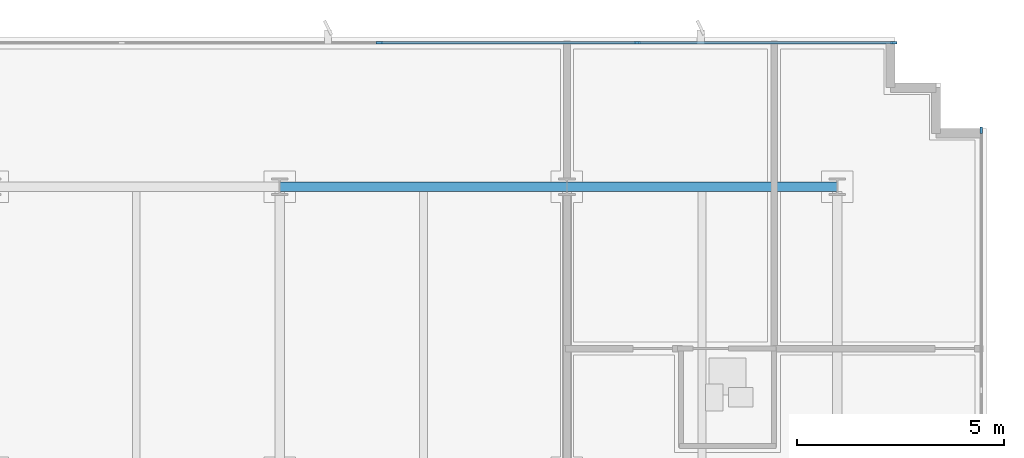
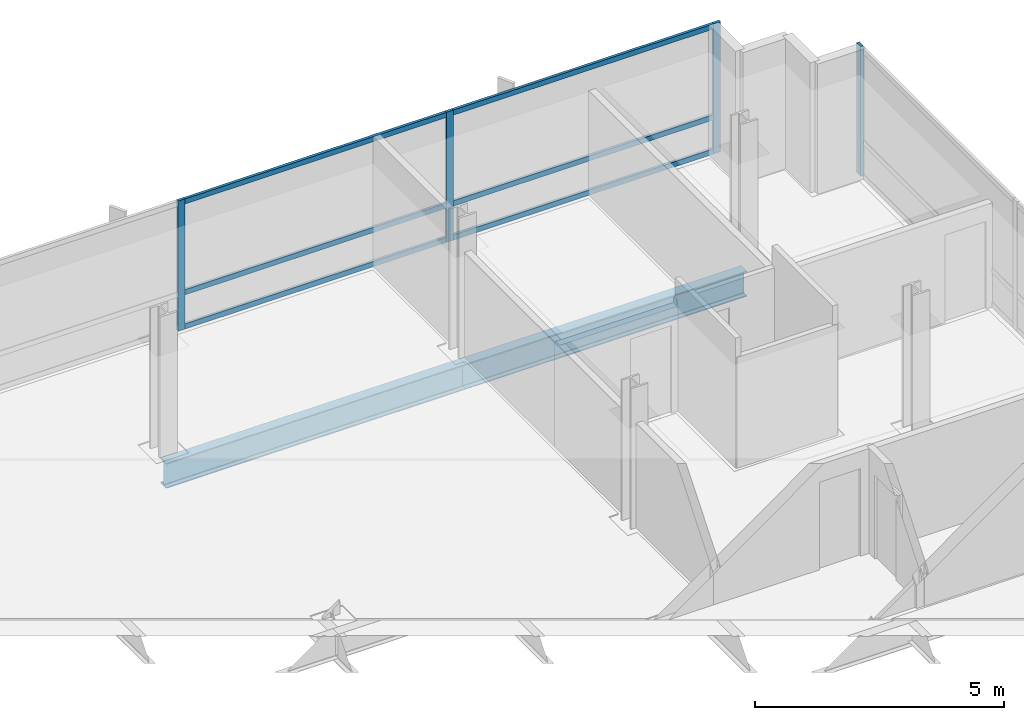
# One storey, part 8 of 18: 10 members, 2 beams, 2 elements without a shape of their own.
"""IFC4 building model written with IfcOpenShell, lengths in metres."""

from ifc_helpers import new_model, si_unit, direction, frame, origin, origin_2d, place, context, subcontext, project, spatial, rectangle, i_section, extrude, material, material_profile, profile_set, type_object, element, aggregate, save


model = new_model("IFC4")

# Units and contexts
model_context = context("Model", 3, precision=1e-05, world=origin(), true_north=direction((0.0, 1.0)))
body_context = subcontext(model_context, "Body", "Model", "MODEL_VIEW")
ifc_project = project(units=[si_unit("LENGTHUNIT", "METRE"), si_unit("AREAUNIT", "SQUARE_METRE"), si_unit("VOLUMEUNIT", "CUBIC_METRE"), si_unit("PLANEANGLEUNIT", "RADIAN"), si_unit("MASSUNIT", "GRAM", prefix="KILO")], contexts=[model_context])

# Site, building, storey
site_placement = place(None, origin())
site = spatial("IfcSite", under=ifc_project, at=site_placement, CompositionType="ELEMENT")
building_placement = place(site_placement, origin())
building = spatial("IfcBuilding", under=site, at=building_placement, Name="Solmavex Isthmus Hotel", CompositionType="ELEMENT")
storey_placement = place(building_placement, frame((0.0, 0.0, 283.35009765625)))
storey = spatial("IfcBuildingStorey", under=building, at=storey_placement, Name="L77", CompositionType="ELEMENT", Elevation=283.35009765625)

# Beams
ifc_material_1 = material(Name="Steel ASTM A992 Grade 50", Category="steel")
ifc_material_profile_1 = material_profile(ifc_material_1, i_section(OverallWidth=0.230224609375, OverallDepth=0.617431640625, WebThickness=0.01318359375, FlangeThickness=0.022216796875, FilletRadius=0.01513671875, at=origin_2d()), Name="W24X94")
ifc_profile_set_1 = profile_set([ifc_material_profile_1], Name="Steel ASTM A992 Grade 50")
beam_type = type_object("IfcBeamType", Name="BM-SP-W24X94", PredefinedType="SPANDREL", material=ifc_profile_set_1)
beam_1_placement = place(storey_placement, frame((6.93603515625, 17.699951171875, -0.56884765625), z_axis=(1.0, 0.0, 0.0), x_axis=(0.0, 1.0, 0.0)))
element("IfcBeam", 1, at=beam_1_placement, inside=storey, type_object=beam_type, Name="Floor Girder L77-UG19", PredefinedType="SPANDREL", context=body_context, shape_type="SweptSolid", body=[
    extrude(i_section(OverallWidth=0.230224609375, OverallDepth=0.617431640625, WebThickness=0.01318359375, FlangeThickness=0.022216796875, FilletRadius=0.01513671875, at=origin_2d()), origin(), (0.0, 0.0, 1.0), 6.93603515625),
])
beam_2_placement = place(storey_placement, frame((13.8720703125, 17.699951171875, -0.56884765625), z_axis=(1.0, 0.0, 0.0), x_axis=(0.0, 1.0, 0.0)))
element("IfcBeam", 2, at=beam_2_placement, inside=storey, type_object=beam_type, Name="Floor Girder L77-UG20", PredefinedType="SPANDREL", context=body_context, shape_type="SweptSolid", body=[
    extrude(i_section(OverallWidth=0.230224609375, OverallDepth=0.617431640625, WebThickness=0.01318359375, FlangeThickness=0.022216796875, FilletRadius=0.01513671875, at=origin_2d()), origin(), (0.0, 0.0, 1.0), 6.52783203125),
])

# Curtain wall, members
ifc_material_2 = material(Name="Aluminium alloy 6063-T6", Category="aluminium")
curtain_wall_type = type_object("IfcCurtainWallType", Name="CW-SYS-05", PredefinedType="NOTDEFINED", material=ifc_material_2)
curtain_wall_1_placement = place(storey_placement, origin())
curtain_wall_1 = element("IfcCurtainWall", 3, at=curtain_wall_1_placement, inside=storey, type_object=curtain_wall_type, Name="Stick Curtain Wall CWL-L77-N1", PredefinedType="NOTDEFINED")
ifc_material_profile_2 = material_profile(ifc_material_2, rectangle(XDim=0.06494140625, YDim=0.159912109375, at=origin_2d()), Name="CWM-65X160")
ifc_profile_set_2 = profile_set([ifc_material_profile_2], Name="Aluminium alloy 6063-T6")
member_type_1 = type_object("IfcMemberType", Name="CW-SYS-05-MUL", PredefinedType="MULLION", material=ifc_profile_set_2)
member_1_placement = place(storey_placement, frame((9.3427734375, 21.179931640625, 0.0), z_axis=(0.0, 0.0, 1.0), x_axis=(0.0, 1.0, 0.0)))
member_1 = element("IfcMember", 4, at=member_1_placement, type_object=member_type_1, Name="CW-05 mullion 6", PredefinedType="MULLION", context=body_context, shape_type="SweptSolid", body=[
    extrude(rectangle(XDim=0.06494140625, YDim=0.159912109375, at=origin_2d()), origin(), (0.0, 0.0, 1.0), 3.18994140625),
])
member_2_placement = place(storey_placement, frame((15.571533203125, 21.179931640625, 0.0), z_axis=(0.0, 0.0, 1.0), x_axis=(0.0, 1.0, 0.0)))
member_2 = element("IfcMember", 5, at=member_2_placement, type_object=member_type_1, Name="CW-05 mullion 7", PredefinedType="MULLION", context=body_context, shape_type="SweptSolid", body=[
    extrude(rectangle(XDim=0.06494140625, YDim=0.159912109375, at=origin_2d()), origin(), (0.0, 0.0, 1.0), 3.18994140625),
])
member_3_placement = place(storey_placement, frame((21.767578125, 21.179931640625, 0.0), z_axis=(0.0, 0.0, 1.0), x_axis=(0.0, 1.0, 0.0)))
member_3 = element("IfcMember", 6, at=member_3_placement, type_object=member_type_1, Name="CW-05 mullion 8", PredefinedType="MULLION", context=body_context, shape_type="SweptSolid", body=[
    extrude(rectangle(XDim=0.06494140625, YDim=0.159912109375, at=origin_2d()), origin(), (0.0, 0.0, 1.0), 3.18994140625),
])

# Curtain wall, member
curtain_wall_2_placement = place(storey_placement, origin())
curtain_wall_2 = element("IfcCurtainWall", 7, at=curtain_wall_2_placement, inside=storey, type_object=curtain_wall_type, Name="Stick Curtain Wall CWL-L77-E1", PredefinedType="NOTDEFINED")
member_4_placement = place(storey_placement, frame((23.8798828125, 19.0673828125, 0.0), z_axis=(0.0, 0.0, 1.0), x_axis=(-1.0, 0.0, 0.0)))
member_4 = element("IfcMember", 8, at=member_4_placement, type_object=member_type_1, Name="CW-05 mullion 6", PredefinedType="MULLION", context=body_context, shape_type="SweptSolid", body=[
    extrude(rectangle(XDim=0.06494140625, YDim=0.159912109375, at=origin_2d()), origin(), (0.0, 0.0, 1.0), 3.18994140625),
])
aggregate(curtain_wall_2, [member_4])

# Member
ifc_material_profile_3 = material_profile(ifc_material_2, rectangle(XDim=0.06494140625, YDim=0.125, at=origin_2d()), Name="CWT-65X125")
ifc_profile_set_3 = profile_set([ifc_material_profile_3], Name="Aluminium alloy 6063-T6")
member_type_2 = type_object("IfcMemberType", Name="CW-SYS-05-TRN", PredefinedType="USERDEFINED", material=ifc_profile_set_3)
member_5_placement = place(storey_placement, frame((9.375244140625, 21.179931640625, 0.0625), z_axis=(1.0, 0.0, 0.0), x_axis=(0.0, 1.0, 0.0)))
member_5 = element("IfcMember", 9, at=member_5_placement, type_object=member_type_2, Name="CW-05 transom 6.1", ObjectType="TRANSOM", PredefinedType="USERDEFINED", context=body_context, shape_type="SweptSolid", body=[
    extrude(rectangle(XDim=0.06494140625, YDim=0.125, at=origin_2d()), origin(), (0.0, 0.0, 1.0), 6.16357421875),
])

member_6_placement = place(storey_placement, frame((9.375244140625, 21.179931640625, 0.89990234375), z_axis=(1.0, 0.0, 0.0), x_axis=(0.0, 1.0, 0.0)))
member_6 = element("IfcMember", 10, at=member_6_placement, type_object=member_type_2, Name="CW-05 transom 6.2", ObjectType="TRANSOM", PredefinedType="USERDEFINED", context=body_context, shape_type="SweptSolid", body=[
    extrude(rectangle(XDim=0.06494140625, YDim=0.125, at=origin_2d()), origin(), (0.0, 0.0, 1.0), 6.16357421875),
])

member_7_placement = place(storey_placement, frame((9.375244140625, 21.179931640625, 3.12744140625), z_axis=(1.0, 0.0, 0.0), x_axis=(0.0, 1.0, 0.0)))
member_7 = element("IfcMember", 11, at=member_7_placement, type_object=member_type_2, Name="CW-05 transom 6.3", ObjectType="TRANSOM", PredefinedType="USERDEFINED", context=body_context, shape_type="SweptSolid", body=[
    extrude(rectangle(XDim=0.06494140625, YDim=0.125, at=origin_2d()), origin(), (0.0, 0.0, 1.0), 6.16357421875),
])

member_8_placement = place(storey_placement, frame((15.60400390625, 21.179931640625, 0.0625), z_axis=(1.0, 0.0, 0.0), x_axis=(0.0, 1.0, 0.0)))
member_8 = element("IfcMember", 12, at=member_8_placement, type_object=member_type_2, Name="CW-05 transom 7.1", ObjectType="TRANSOM", PredefinedType="USERDEFINED", context=body_context, shape_type="SweptSolid", body=[
    extrude(rectangle(XDim=0.06494140625, YDim=0.125, at=origin_2d()), origin(), (0.0, 0.0, 1.0), 6.131103515625),
])

member_9_placement = place(storey_placement, frame((15.60400390625, 21.179931640625, 0.89990234375), z_axis=(1.0, 0.0, 0.0), x_axis=(0.0, 1.0, 0.0)))
member_9 = element("IfcMember", 13, at=member_9_placement, type_object=member_type_2, Name="CW-05 transom 7.2", ObjectType="TRANSOM", PredefinedType="USERDEFINED", context=body_context, shape_type="SweptSolid", body=[
    extrude(rectangle(XDim=0.06494140625, YDim=0.125, at=origin_2d()), origin(), (0.0, 0.0, 1.0), 6.131103515625),
])

member_10_placement = place(storey_placement, frame((15.60400390625, 21.179931640625, 3.12744140625), z_axis=(1.0, 0.0, 0.0), x_axis=(0.0, 1.0, 0.0)))
member_10 = element("IfcMember", 14, at=member_10_placement, type_object=member_type_2, Name="CW-05 transom 7.3", ObjectType="TRANSOM", PredefinedType="USERDEFINED", context=body_context, shape_type="SweptSolid", body=[
    extrude(rectangle(XDim=0.06494140625, YDim=0.125, at=origin_2d()), origin(), (0.0, 0.0, 1.0), 6.131103515625),
])

aggregate(curtain_wall_1, [member_1, member_2, member_3, member_5, member_6, member_7, member_8, member_9, member_10])

save(model, "model.ifc")
